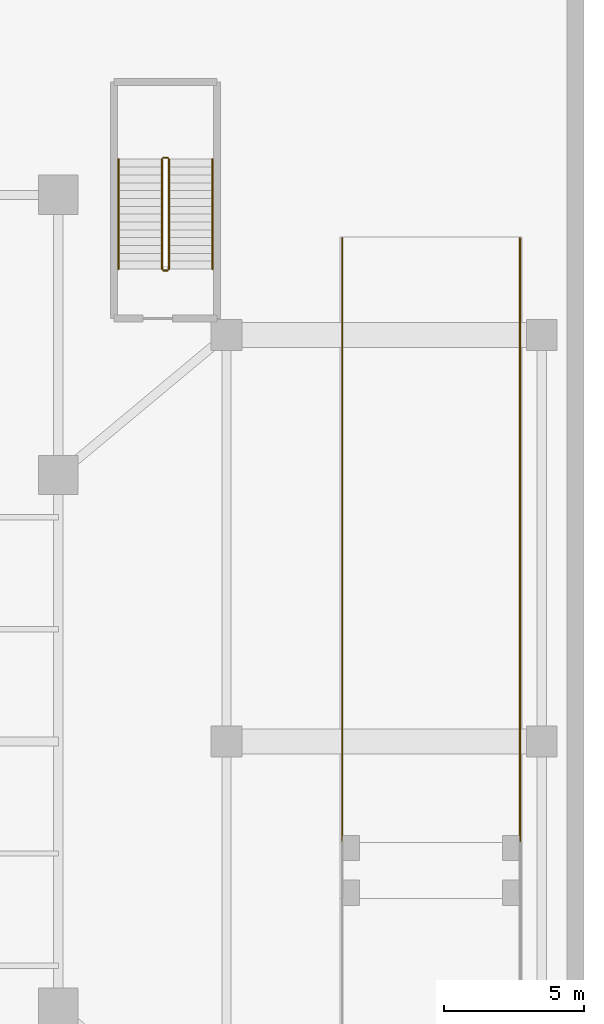
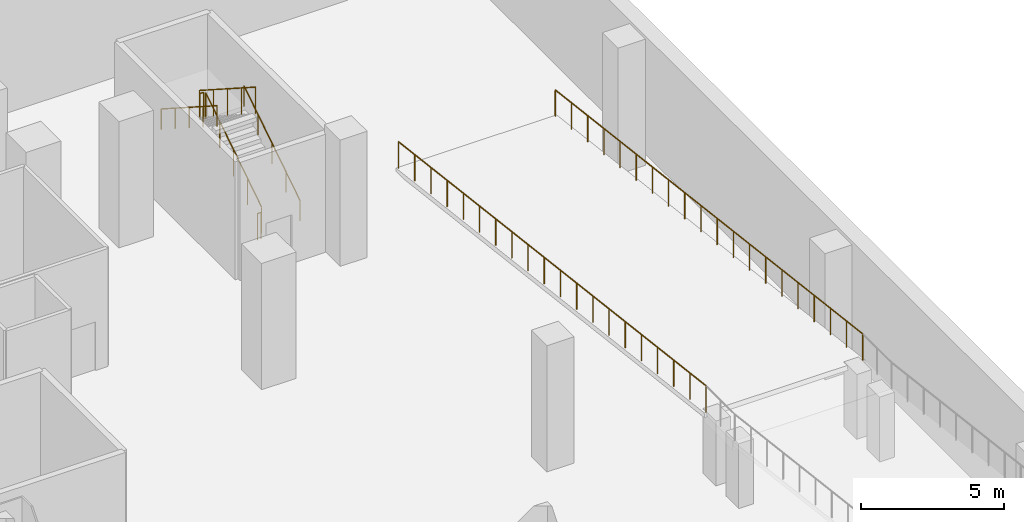
# One storey, part 14 of 14: 8 railings.
"""IFC4 building model written with IfcOpenShell, lengths in metres."""

from ifc_helpers import new_model, si_unit, direction, frame, origin, origin_2d, place, context, subcontext, project, spatial, circle, extrude, material, type_object, element, save


model = new_model("IFC4")

# Units and contexts
model_context = context("Model", 3, precision=1e-05, world=origin(), true_north=direction((0.0, 1.0)))
body_context = subcontext(model_context, "Body", "Model", "MODEL_VIEW")
ifc_project = project(units=[si_unit("LENGTHUNIT", "METRE"), si_unit("AREAUNIT", "SQUARE_METRE"), si_unit("VOLUMEUNIT", "CUBIC_METRE"), si_unit("PLANEANGLEUNIT", "RADIAN"), si_unit("MASSUNIT", "GRAM", prefix="KILO")], contexts=[model_context])

# Site, building, storey
site_placement = place(None, origin())
site = spatial("IfcSite", under=ifc_project, at=site_placement, CompositionType="ELEMENT")
building_placement = place(site_placement, origin())
building = spatial("IfcBuilding", under=site, at=building_placement, Name="Trevonay Congress Spire", CompositionType="ELEMENT")
storey_placement = place(building_placement, frame((0.0, 0.0, -5.39990234375)))
storey = spatial("IfcBuildingStorey", under=building, at=storey_placement, Name="B1", CompositionType="ELEMENT", Elevation=-5.39990234375)

# Railings
ifc_material = material(Name="Pale Anodised Aluminium EN AW-6063-T6", Category="aluminium")
railing_type_1 = type_object("IfcRailingType", Name="RAL-EXT-GUARD-115", PredefinedType="GUARDRAIL", material=ifc_material)
railing_1_placement = place(storey_placement, frame((33.3798828125, 17.949951171875, 0.139892578125)))
element("IfcRailing", 1, at=railing_1_placement, inside=storey, type_object=railing_type_1, Name="B1 perimeter safety guard GRD-B1-RMP-W-1", PredefinedType="GUARDRAIL", context=body_context, shape_type="SweptSolid", body=[
    extrude(circle(Radius=0.02392578125, at=origin_2d()), frame((0.0, 0.0, 1.1259765625), z_axis=(0.0, -0.992634403414, 0.121148426152), x_axis=(1.0, 0.0, 0.0)), (0.0, 0.0, 1.0), 21.7099609375),
    extrude(circle(Radius=0.02099609375, at=origin_2d()), origin(), (0.0, 0.0, 1.0), 1.101806640625),
    extrude(circle(Radius=0.02099609375, at=origin_2d()), frame((0.0, -1.13427734375, 0.138427734375)), (0.0, 0.0, 1.0), 1.101806640625),
    extrude(circle(Radius=0.02099609375, at=origin_2d()), frame((0.0, -2.268310546875, 0.27685546875)), (0.0, 0.0, 1.0), 1.101806640625),
    extrude(circle(Radius=0.02099609375, at=origin_2d()), frame((0.0, -3.402587890625, 0.415283203125)), (0.0, 0.0, 1.0), 1.101806640625),
    extrude(circle(Radius=0.02099609375, at=origin_2d()), frame((0.0, -4.536865234375, 0.5537109375)), (0.0, 0.0, 1.0), 1.101806640625),
    extrude(circle(Radius=0.02099609375, at=origin_2d()), frame((0.0, -5.671142578125, 0.692138671875)), (0.0, 0.0, 1.0), 1.101806640625),
    extrude(circle(Radius=0.02099609375, at=origin_2d()), frame((0.0, -6.80517578125, 0.83056640625)), (0.0, 0.0, 1.0), 1.101806640625),
    extrude(circle(Radius=0.02099609375, at=origin_2d()), frame((0.0, -7.939453125, 0.968994140625)), (0.0, 0.0, 1.0), 1.101806640625),
    extrude(circle(Radius=0.02099609375, at=origin_2d()), frame((0.0, -9.07373046875, 1.107421875)), (0.0, 0.0, 1.0), 1.101806640625),
    extrude(circle(Radius=0.02099609375, at=origin_2d()), frame((0.0, -10.2080078125, 1.245849609375)), (0.0, 0.0, 1.0), 1.101806640625),
    extrude(circle(Radius=0.02099609375, at=origin_2d()), frame((0.0, -11.342041015625, 1.38427734375)), (0.0, 0.0, 1.0), 1.101806640625),
    extrude(circle(Radius=0.02099609375, at=origin_2d()), frame((0.0, -12.476318359375, 1.522705078125)), (0.0, 0.0, 1.0), 1.101806640625),
    extrude(circle(Radius=0.02099609375, at=origin_2d()), frame((0.0, -13.610595703125, 1.6611328125)), (0.0, 0.0, 1.0), 1.101806640625),
    extrude(circle(Radius=0.02099609375, at=origin_2d()), frame((0.0, -14.744873046875, 1.799560546875)), (0.0, 0.0, 1.0), 1.101806640625),
    extrude(circle(Radius=0.02099609375, at=origin_2d()), frame((0.0, -15.87890625, 1.93798828125)), (0.0, 0.0, 1.0), 1.101806640625),
    extrude(circle(Radius=0.02099609375, at=origin_2d()), frame((0.0, -17.01318359375, 2.076416015625)), (0.0, 0.0, 1.0), 1.101806640625),
    extrude(circle(Radius=0.02099609375, at=origin_2d()), frame((0.0, -18.1474609375, 2.21484375)), (0.0, 0.0, 1.0), 1.101806640625),
    extrude(circle(Radius=0.02099609375, at=origin_2d()), frame((0.0, -19.28173828125, 2.353271484375)), (0.0, 0.0, 1.0), 1.101806640625),
    extrude(circle(Radius=0.02099609375, at=origin_2d()), frame((0.0, -20.415771484375, 2.49169921875)), (0.0, 0.0, 1.0), 1.101806640625),
    extrude(circle(Radius=0.02099609375, at=origin_2d()), frame((0.0, -21.550048828125, 2.630126953125)), (0.0, 0.0, 1.0), 1.101806640625),
])
railing_2_placement = place(storey_placement, frame((39.719970703125, 17.949951171875, 0.139892578125)))
element("IfcRailing", 2, at=railing_2_placement, inside=storey, type_object=railing_type_1, Name="B1 perimeter safety guard GRD-B1-RMP-E-1", PredefinedType="GUARDRAIL", context=body_context, shape_type="SweptSolid", body=[
    extrude(circle(Radius=0.02392578125, at=origin_2d()), frame((0.0, 0.0, 1.1259765625), z_axis=(0.0, -0.992634403414, 0.121148426152), x_axis=(1.0, 0.0, 0.0)), (0.0, 0.0, 1.0), 21.7099609375),
    extrude(circle(Radius=0.02099609375, at=origin_2d()), origin(), (0.0, 0.0, 1.0), 1.101806640625),
    extrude(circle(Radius=0.02099609375, at=origin_2d()), frame((0.0, -1.13427734375, 0.138427734375)), (0.0, 0.0, 1.0), 1.101806640625),
    extrude(circle(Radius=0.02099609375, at=origin_2d()), frame((0.0, -2.268310546875, 0.27685546875)), (0.0, 0.0, 1.0), 1.101806640625),
    extrude(circle(Radius=0.02099609375, at=origin_2d()), frame((0.0, -3.402587890625, 0.415283203125)), (0.0, 0.0, 1.0), 1.101806640625),
    extrude(circle(Radius=0.02099609375, at=origin_2d()), frame((0.0, -4.536865234375, 0.5537109375)), (0.0, 0.0, 1.0), 1.101806640625),
    extrude(circle(Radius=0.02099609375, at=origin_2d()), frame((0.0, -5.671142578125, 0.692138671875)), (0.0, 0.0, 1.0), 1.101806640625),
    extrude(circle(Radius=0.02099609375, at=origin_2d()), frame((0.0, -6.80517578125, 0.83056640625)), (0.0, 0.0, 1.0), 1.101806640625),
    extrude(circle(Radius=0.02099609375, at=origin_2d()), frame((0.0, -7.939453125, 0.968994140625)), (0.0, 0.0, 1.0), 1.101806640625),
    extrude(circle(Radius=0.02099609375, at=origin_2d()), frame((0.0, -9.07373046875, 1.107421875)), (0.0, 0.0, 1.0), 1.101806640625),
    extrude(circle(Radius=0.02099609375, at=origin_2d()), frame((0.0, -10.2080078125, 1.245849609375)), (0.0, 0.0, 1.0), 1.101806640625),
    extrude(circle(Radius=0.02099609375, at=origin_2d()), frame((0.0, -11.342041015625, 1.38427734375)), (0.0, 0.0, 1.0), 1.101806640625),
    extrude(circle(Radius=0.02099609375, at=origin_2d()), frame((0.0, -12.476318359375, 1.522705078125)), (0.0, 0.0, 1.0), 1.101806640625),
    extrude(circle(Radius=0.02099609375, at=origin_2d()), frame((0.0, -13.610595703125, 1.6611328125)), (0.0, 0.0, 1.0), 1.101806640625),
    extrude(circle(Radius=0.02099609375, at=origin_2d()), frame((0.0, -14.744873046875, 1.799560546875)), (0.0, 0.0, 1.0), 1.101806640625),
    extrude(circle(Radius=0.02099609375, at=origin_2d()), frame((0.0, -15.87890625, 1.93798828125)), (0.0, 0.0, 1.0), 1.101806640625),
    extrude(circle(Radius=0.02099609375, at=origin_2d()), frame((0.0, -17.01318359375, 2.076416015625)), (0.0, 0.0, 1.0), 1.101806640625),
    extrude(circle(Radius=0.02099609375, at=origin_2d()), frame((0.0, -18.1474609375, 2.21484375)), (0.0, 0.0, 1.0), 1.101806640625),
    extrude(circle(Radius=0.02099609375, at=origin_2d()), frame((0.0, -19.28173828125, 2.353271484375)), (0.0, 0.0, 1.0), 1.101806640625),
    extrude(circle(Radius=0.02099609375, at=origin_2d()), frame((0.0, -20.415771484375, 2.49169921875)), (0.0, 0.0, 1.0), 1.101806640625),
    extrude(circle(Radius=0.02099609375, at=origin_2d()), frame((0.0, -21.550048828125, 2.630126953125)), (0.0, 0.0, 1.0), 1.101806640625),
])
railing_type_2 = type_object("IfcRailingType", Name="RAL-STAIR-GUARD-110", PredefinedType="GUARDRAIL", material=ifc_material)
railing_3_placement = place(storey_placement, frame((27.199951171875, 16.85009765625, 0.179931640625)))
element("IfcRailing", 3, at=railing_3_placement, inside=storey, type_object=railing_type_2, Name="B1 ST-6 stair guard 1", PredefinedType="GUARDRAIL", context=body_context, shape_type="SweptSolid", body=[
    extrude(circle(Radius=0.02392578125, at=origin_2d()), frame((0.0, 0.0, 1.1259765625), z_axis=(0.0, 0.841171666519, 0.540768182723), x_axis=(-1.0, 0.0, 0.0)), (0.0, 0.0, 1.0), 4.66015625),
    extrude(circle(Radius=0.02099609375, at=origin_2d()), origin(), (0.0, 0.0, 1.0), 1.101806640625),
    extrude(circle(Radius=0.02099609375, at=origin_2d()), frame((0.0, 0.97998046875, 0.6298828125)), (0.0, 0.0, 1.0), 1.101806640625),
    extrude(circle(Radius=0.02099609375, at=origin_2d()), frame((0.0, 1.9599609375, 1.260009765625)), (0.0, 0.0, 1.0), 1.101806640625),
    extrude(circle(Radius=0.02099609375, at=origin_2d()), frame((0.0, 2.93994140625, 1.89013671875)), (0.0, 0.0, 1.0), 1.101806640625),
    extrude(circle(Radius=0.02099609375, at=origin_2d()), frame((0.0, 3.919921875, 2.52001953125)), (0.0, 0.0, 1.0), 1.101806640625),
])
railing_4_placement = place(storey_placement, frame((27.14990234375, 20.820068359375, 2.699951171875)))
element("IfcRailing", 4, at=railing_4_placement, inside=storey, type_object=railing_type_2, Name="B1 ST-6 stair guard 2", PredefinedType="GUARDRAIL", context=body_context, shape_type="SweptSolid", body=[
    extrude(circle(Radius=0.02392578125, at=origin_2d()), frame((0.0, 0.0, 1.1259765625), z_axis=(-1.0, 0.0, 0.0), x_axis=(0.0, -1.0, 0.0)), (0.0, 0.0, 1.0), 0.14990234375),
    extrude(circle(Radius=0.02099609375, at=origin_2d()), origin(), (0.0, 0.0, 1.0), 1.101806640625),
    extrude(circle(Radius=0.02099609375, at=origin_2d()), frame((-0.14990234375, 0.0, 0.0)), (0.0, 0.0, 1.0), 1.101806640625),
])
railing_5_placement = place(storey_placement, frame((26.949951171875, 20.77001953125, 2.8798828125)))
element("IfcRailing", 5, at=railing_5_placement, inside=storey, type_object=railing_type_2, Name="B1 ST-6 stair guard 3", PredefinedType="GUARDRAIL", context=body_context, shape_type="SweptSolid", body=[
    extrude(circle(Radius=0.02392578125, at=origin_2d()), frame((0.0, 0.0, 1.1259765625), z_axis=(0.0, -0.841171666519, 0.540768182723), x_axis=(1.0, 0.0, 0.0)), (0.0, 0.0, 1.0), 4.66015625),
    extrude(circle(Radius=0.02099609375, at=origin_2d()), origin(), (0.0, 0.0, 1.0), 1.101806640625),
    extrude(circle(Radius=0.02099609375, at=origin_2d()), frame((0.0, -0.97998046875, 0.6298828125)), (0.0, 0.0, 1.0), 1.101806640625),
    extrude(circle(Radius=0.02099609375, at=origin_2d()), frame((0.0, -1.9599609375, 1.260009765625)), (0.0, 0.0, 1.0), 1.101806640625),
    extrude(circle(Radius=0.02099609375, at=origin_2d()), frame((0.0, -2.93994140625, 1.89013671875)), (0.0, 0.0, 1.0), 1.101806640625),
    extrude(circle(Radius=0.02099609375, at=origin_2d()), frame((0.0, -3.919921875, 2.52001953125)), (0.0, 0.0, 1.0), 1.101806640625),
])
railing_6_placement = place(storey_placement, frame((27.14990234375, 16.800048828125, 0.0)))
element("IfcRailing", 6, at=railing_6_placement, inside=storey, type_object=railing_type_2, Name="B1 ST-6 stair guard 4", PredefinedType="GUARDRAIL", context=body_context, shape_type="SweptSolid", body=[
    extrude(circle(Radius=0.02392578125, at=origin_2d()), frame((0.0, 0.0, 1.1259765625), z_axis=(-1.0, 0.0, 0.0), x_axis=(0.0, -1.0, 0.0)), (0.0, 0.0, 1.0), 0.14990234375),
    extrude(circle(Radius=0.02099609375, at=origin_2d()), origin(), (0.0, 0.0, 1.0), 1.101806640625),
    extrude(circle(Radius=0.02099609375, at=origin_2d()), frame((-0.14990234375, 0.0, 0.0)), (0.0, 0.0, 1.0), 1.101806640625),
])
railing_type_3 = type_object("IfcRailingType", Name="RAL-STAIR-HANDRAIL", PredefinedType="HANDRAIL", material=ifc_material)
railing_7_placement = place(storey_placement, frame((28.75, 16.85009765625, 0.179931640625)))
element("IfcRailing", 7, at=railing_7_placement, inside=storey, type_object=railing_type_3, Name="B1 ST-6 stair handrail 1", PredefinedType="HANDRAIL", context=body_context, shape_type="SweptSolid", body=[
    extrude(circle(Radius=0.02392578125, at=origin_2d()), frame((0.0, 0.0, 0.8759765625), z_axis=(0.0, 0.841171666519, 0.540768182723), x_axis=(-1.0, 0.0, 0.0)), (0.0, 0.0, 1.0), 4.66015625),
    extrude(circle(Radius=0.02099609375, at=origin_2d()), origin(), (0.0, 0.0, 1.0), 0.851806640625),
    extrude(circle(Radius=0.02099609375, at=origin_2d()), frame((0.0, 0.97998046875, 0.6298828125)), (0.0, 0.0, 1.0), 0.851806640625),
    extrude(circle(Radius=0.02099609375, at=origin_2d()), frame((0.0, 1.9599609375, 1.260009765625)), (0.0, 0.0, 1.0), 0.851806640625),
    extrude(circle(Radius=0.02099609375, at=origin_2d()), frame((0.0, 2.93994140625, 1.89013671875)), (0.0, 0.0, 1.0), 0.851806640625),
    extrude(circle(Radius=0.02099609375, at=origin_2d()), frame((0.0, 3.919921875, 2.52001953125)), (0.0, 0.0, 1.0), 0.851806640625),
])
railing_8_placement = place(storey_placement, frame((25.39990234375, 20.77001953125, 2.8798828125)))
element("IfcRailing", 8, at=railing_8_placement, inside=storey, type_object=railing_type_3, Name="B1 ST-6 stair handrail 2", PredefinedType="HANDRAIL", context=body_context, shape_type="SweptSolid", body=[
    extrude(circle(Radius=0.02392578125, at=origin_2d()), frame((0.0, 0.0, 0.8759765625), z_axis=(0.0, -0.841171666519, 0.540768182723), x_axis=(1.0, 0.0, 0.0)), (0.0, 0.0, 1.0), 4.66015625),
    extrude(circle(Radius=0.02099609375, at=origin_2d()), origin(), (0.0, 0.0, 1.0), 0.851806640625),
    extrude(circle(Radius=0.02099609375, at=origin_2d()), frame((0.0, -0.97998046875, 0.6298828125)), (0.0, 0.0, 1.0), 0.851806640625),
    extrude(circle(Radius=0.02099609375, at=origin_2d()), frame((0.0, -1.9599609375, 1.260009765625)), (0.0, 0.0, 1.0), 0.851806640625),
    extrude(circle(Radius=0.02099609375, at=origin_2d()), frame((0.0, -2.93994140625, 1.89013671875)), (0.0, 0.0, 1.0), 0.851806640625),
    extrude(circle(Radius=0.02099609375, at=origin_2d()), frame((0.0, -3.919921875, 2.52001953125)), (0.0, 0.0, 1.0), 0.851806640625),
])

save(model, "model.ifc")
